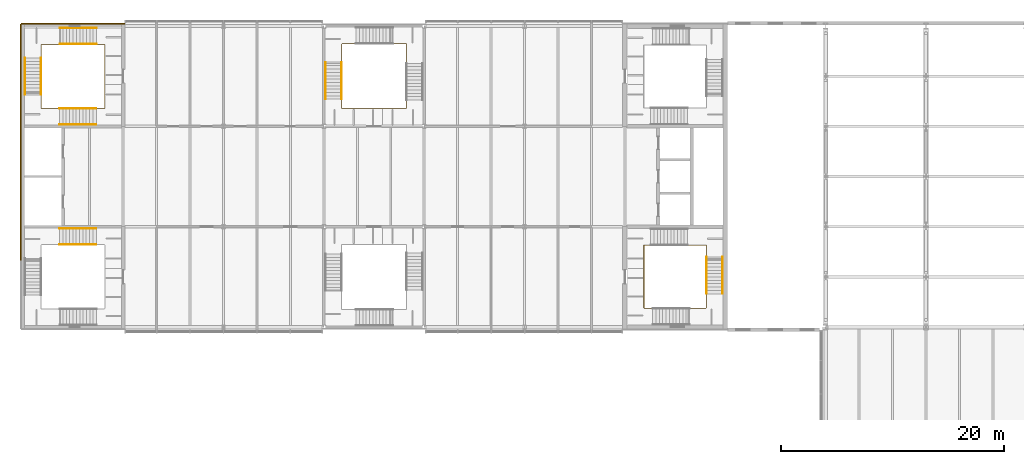
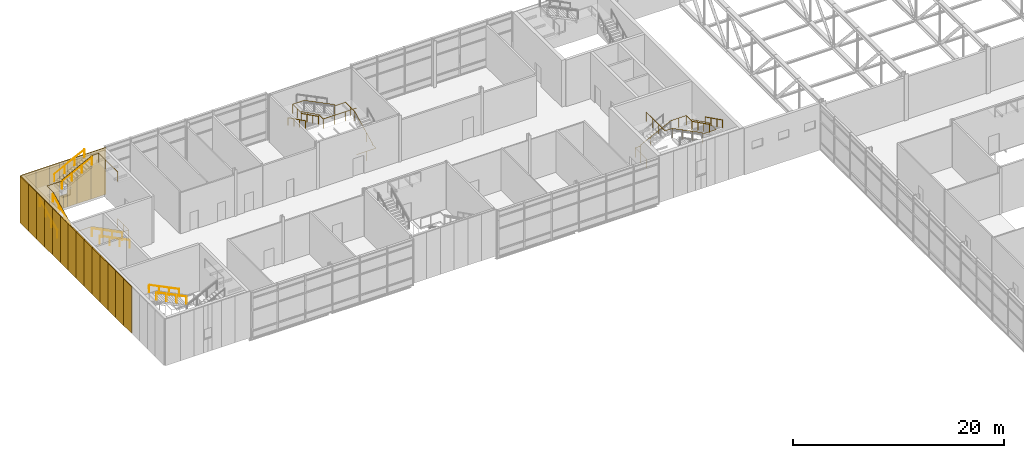
# One storey, part 49 of 53: 24 coverings, 15 railings.
"""IFC4 building model written with IfcOpenShell, lengths in metres."""

from ifc_helpers import new_model, si_unit, direction, frame, origin, origin_2d, place, context, subcontext, project, spatial, rectangle, circle, extrude, material, layer, layer_set, type_object, element, save


model = new_model("IFC4")

# Units and contexts
model_context = context("Model", 3, precision=1e-05, world=origin(), true_north=direction((0.0, 1.0)))
body_context = subcontext(model_context, "Body", "Model", "MODEL_VIEW")
ifc_project = project(units=[si_unit("LENGTHUNIT", "METRE"), si_unit("AREAUNIT", "SQUARE_METRE"), si_unit("VOLUMEUNIT", "CUBIC_METRE"), si_unit("PLANEANGLEUNIT", "RADIAN"), si_unit("MASSUNIT", "GRAM", prefix="KILO")], contexts=[model_context])

# Site, building, storey
site_placement = place(None, origin())
site = spatial("IfcSite", under=ifc_project, at=site_placement, CompositionType="ELEMENT")
building_placement = place(site_placement, origin())
building = spatial("IfcBuilding", under=site, at=building_placement, Name="Azimuth Sports and Learning Centre", CompositionType="ELEMENT")
storey_placement = place(building_placement, frame((0.0, 0.0, 10.800048828125)))
storey = spatial("IfcBuildingStorey", under=building, at=storey_placement, Name="L02", CompositionType="ELEMENT", Elevation=10.800048828125)

# Coverings
ifc_material_1 = material(Name="Cladding panel")
ifc_layer = layer(ifc_material_1, 0.10009765625)
ifc_layer_set = layer_set([ifc_layer], Name="Cladding panel")
covering_type = type_object("IfcCoveringType", Name="Cladding panel 100", PredefinedType="CLADDING", material=ifc_layer_set)
covering_1_placement = place(storey_placement, frame((8.324951171875, 117.199951171875, 0.0), z_axis=(0.0, 0.0, 1.0), x_axis=(-1.0, 0.0, 0.0)))
element("IfcCovering", 1, at=covering_1_placement, inside=storey, type_object=covering_type, Name="Cladding panel N-END W L02 1", PredefinedType="CLADDING", context=body_context, shape_type="SweptSolid", body=[
    extrude(rectangle(XDim=1.64990234375, YDim=0.10009765625, at=origin_2d()), origin(), (0.0, 0.0, 1.0), 5.39990234375),
])
covering_2_placement = place(storey_placement, frame((6.75, 117.199951171875, 0.0), z_axis=(0.0, 0.0, 1.0), x_axis=(-1.0, 0.0, 0.0)))
element("IfcCovering", 2, at=covering_2_placement, inside=storey, type_object=covering_type, Name="Cladding panel N-END W L02 2", PredefinedType="CLADDING", context=body_context, shape_type="SweptSolid", body=[
    extrude(rectangle(XDim=1.5, YDim=0.10009765625, at=origin_2d()), origin(), (0.0, 0.0, 1.0), 5.39990234375),
])
covering_3_placement = place(storey_placement, frame((5.47509765625, 117.199951171875, 0.0), z_axis=(0.0, 0.0, 1.0), x_axis=(-1.0, 0.0, 0.0)))
element("IfcCovering", 3, at=covering_3_placement, inside=storey, type_object=covering_type, Name="Cladding panel N-END W L02 3", PredefinedType="CLADDING", context=body_context, shape_type="SweptSolid", body=[
    extrude(rectangle(XDim=1.050048828125, YDim=0.10009765625, at=origin_2d()), origin(), (0.0, 0.0, 1.0), 5.39990234375),
])
covering_4_placement = place(storey_placement, frame((4.72509765625, 117.199951171875, 0.0), z_axis=(0.0, 0.0, 1.0), x_axis=(-1.0, 0.0, 0.0)))
element("IfcCovering", 4, at=covering_4_placement, inside=storey, type_object=covering_type, Name="Cladding panel N-END W L02 4", PredefinedType="CLADDING", context=body_context, shape_type="SweptSolid", body=[
    extrude(rectangle(XDim=0.449951171875, YDim=0.10009765625, at=origin_2d()), origin(), (0.0, 0.0, 1.0), 1.5),
])
covering_5_placement = place(storey_placement, frame((4.72509765625, 117.199951171875, 2.7001953125), z_axis=(0.0, 0.0, 1.0), x_axis=(-1.0, 0.0, 0.0)))
element("IfcCovering", 5, at=covering_5_placement, inside=storey, type_object=covering_type, Name="Cladding panel N-END W L02 5", PredefinedType="CLADDING", context=body_context, shape_type="SweptSolid", body=[
    extrude(rectangle(XDim=0.449951171875, YDim=0.10009765625, at=origin_2d()), origin(), (0.0, 0.0, 1.0), 2.699951171875),
])
covering_6_placement = place(storey_placement, frame((3.52490234375, 117.199951171875, 0.0), z_axis=(0.0, 0.0, 1.0), x_axis=(-1.0, 0.0, 0.0)))
element("IfcCovering", 6, at=covering_6_placement, inside=storey, type_object=covering_type, Name="Cladding panel N-END W L02 6", PredefinedType="CLADDING", context=body_context, shape_type="SweptSolid", body=[
    extrude(rectangle(XDim=1.050048828125, YDim=0.10009765625, at=origin_2d()), origin(), (0.0, 0.0, 1.0), 5.39990234375),
])
covering_7_placement = place(storey_placement, frame((4.27490234375, 117.199951171875, 0.0), z_axis=(0.0, 0.0, 1.0), x_axis=(-1.0, 0.0, 0.0)))
element("IfcCovering", 7, at=covering_7_placement, inside=storey, type_object=covering_type, Name="Cladding panel N-END W L02 7", PredefinedType="CLADDING", context=body_context, shape_type="SweptSolid", body=[
    extrude(rectangle(XDim=0.449951171875, YDim=0.10009765625, at=origin_2d()), origin(), (0.0, 0.0, 1.0), 1.5),
])
covering_8_placement = place(storey_placement, frame((4.27490234375, 117.199951171875, 2.7001953125), z_axis=(0.0, 0.0, 1.0), x_axis=(-1.0, 0.0, 0.0)))
element("IfcCovering", 8, at=covering_8_placement, inside=storey, type_object=covering_type, Name="Cladding panel N-END W L02 8", PredefinedType="CLADDING", context=body_context, shape_type="SweptSolid", body=[
    extrude(rectangle(XDim=0.449951171875, YDim=0.10009765625, at=origin_2d()), origin(), (0.0, 0.0, 1.0), 2.699951171875),
])
covering_9_placement = place(storey_placement, frame((2.25, 117.199951171875, 0.0), z_axis=(0.0, 0.0, 1.0), x_axis=(-1.0, 0.0, 0.0)))
element("IfcCovering", 9, at=covering_9_placement, inside=storey, type_object=covering_type, Name="Cladding panel N-END W L02 9", PredefinedType="CLADDING", context=body_context, shape_type="SweptSolid", body=[
    extrude(rectangle(XDim=1.5, YDim=0.10009765625, at=origin_2d()), origin(), (0.0, 0.0, 1.0), 5.39990234375),
])
for number, where, z_axis, x_axis, name in (
    (10, (0.675048828125, 117.199951171875, 0.0), (0.0, 0.0, 1.0), (-1.0, 0.0, 0.0), "Cladding panel N-END W L02 10"),
    (11, (-0.199951171875, 116.324951171875, 0.0), (0.0, 0.0, 1.0), (0.0, -1.0, 0.0), "Cladding panel W-END W L02 1"),
):
    element("IfcCovering", number, at=place(storey_placement, frame(where, z_axis=z_axis, x_axis=x_axis)), inside=storey, type_object=covering_type, Name=name, PredefinedType="CLADDING", context=body_context, shape_type="SweptSolid", body=[
        extrude(rectangle(XDim=1.64990234375, YDim=0.10009765625, at=origin_2d()), origin(), (0.0, 0.0, 1.0), 5.39990234375),
    ])
for number, where, z_axis, x_axis, name in (
    (12, (-0.199951171875, 114.75, 0.0), (0.0, 0.0, 1.0), (0.0, -1.0, 0.0), "Cladding panel W-END W L02 2"),
    (13, (-0.199951171875, 113.25, 0.0), (0.0, 0.0, 1.0), (0.0, -1.0, 0.0), "Cladding panel W-END W L02 3"),
    (14, (-0.199951171875, 111.75, 0.0), (0.0, 0.0, 1.0), (0.0, -1.0, 0.0), "Cladding panel W-END W L02 4"),
    (15, (-0.199951171875, 110.25, 0.0), (0.0, 0.0, 1.0), (0.0, -1.0, 0.0), "Cladding panel W-END W L02 5"),
    (16, (-0.199951171875, 108.75, 0.0), (0.0, 0.0, 1.0), (0.0, -1.0, 0.0), "Cladding panel W-END W L02 6"),
    (17, (-0.199951171875, 107.25, 0.0), (0.0, 0.0, 1.0), (0.0, -1.0, 0.0), "Cladding panel W-END W L02 7"),
    (18, (-0.199951171875, 105.75, 0.0), (0.0, 0.0, 1.0), (0.0, -1.0, 0.0), "Cladding panel W-END W L02 8"),
    (19, (-0.199951171875, 104.25, 0.0), (0.0, 0.0, 1.0), (0.0, -1.0, 0.0), "Cladding panel W-END W L02 9"),
    (20, (-0.199951171875, 102.75, 0.0), (0.0, 0.0, 1.0), (0.0, -1.0, 0.0), "Cladding panel W-END W L02 10"),
    (21, (-0.199951171875, 101.25, 0.0), (0.0, 0.0, 1.0), (0.0, -1.0, 0.0), "Cladding panel W-END W L02 11"),
    (22, (-0.199951171875, 99.75, 0.0), (0.0, 0.0, 1.0), (0.0, -1.0, 0.0), "Cladding panel W-END W L02 12"),
    (23, (-0.199951171875, 98.25, 0.0), (0.0, 0.0, 1.0), (0.0, -1.0, 0.0), "Cladding panel W-END W L02 13"),
    (24, (-0.199951171875, 96.75, 0.0), (0.0, 0.0, 1.0), (0.0, -1.0, 0.0), "Cladding panel W-END W L02 14"),
):
    element("IfcCovering", number, at=place(storey_placement, frame(where, z_axis=z_axis, x_axis=x_axis)), inside=storey, type_object=covering_type, Name=name, PredefinedType="CLADDING", context=body_context, shape_type="SweptSolid", body=[
        extrude(rectangle(XDim=1.5, YDim=0.10009765625, at=origin_2d()), origin(), (0.0, 0.0, 1.0), 5.39990234375),
    ])

# Railings
ifc_material_2 = material(Name="Stainless steel", Category="steel")
railing_type_1 = type_object("IfcRailingType", Name="Stair guard 1100", PredefinedType="GUARDRAIL", material=ifc_material_2)
railing_1_placement = place(storey_placement, frame((55.7099609375, 95.25, 0.0)))
element("IfcRailing", 25, at=railing_1_placement, inside=storey, type_object=railing_type_1, Name="Guard W1 L02 well", PredefinedType="GUARDRAIL", context=body_context, shape_type="SweptSolid", body=[
    extrude(circle(Radius=0.02392578125, at=origin_2d()), frame((0.0, 0.0, 1.076171875), z_axis=(0.0, 1.0, 0.0), x_axis=(-1.0, 0.0, 0.0)), (0.0, 0.0, 1.0), 2.090087890625),
    extrude(circle(Radius=0.02392578125, at=origin_2d()), frame((0.0, 2.090087890625, 1.076171875), z_axis=(1.0, 0.0, 0.0), x_axis=(0.0, 1.0, 0.0)), (0.0, 0.0, 1.0), 0.60009765625),
    extrude(circle(Radius=0.02392578125, at=origin_2d()), frame((0.60009765625, 2.090087890625, 1.076171875), z_axis=(0.0, 0.0, 1.0), x_axis=(1.0, 0.0, 0.0)), (0.0, 0.0, 1.0), 0.14990234375),
    extrude(circle(Radius=0.02392578125, at=origin_2d()), frame((0.60009765625, 2.090087890625, 1.22607421875), z_axis=(0.894413956696, 0.0, 0.447240063129), x_axis=(0.0, 1.0, 0.0)), (0.0, 0.0, 1.0), 3.689697265625),
    extrude(circle(Radius=0.02392578125, at=origin_2d()), frame((3.900146484375, 2.090087890625, 2.8759765625), z_axis=(1.0, 0.0, 0.0), x_axis=(0.0, 1.0, 0.0)), (0.0, 0.0, 1.0), 1.679931640625),
    extrude(circle(Radius=0.02392578125, at=origin_2d()), frame((5.580078125, 2.090087890625, 2.8759765625), z_axis=(0.0, -1.0, 0.0), x_axis=(1.0, 0.0, 0.0)), (0.0, 0.0, 1.0), 1.050048828125),
    extrude(circle(Radius=0.02392578125, at=origin_2d()), frame((5.580078125, 1.0400390625, 2.8759765625), z_axis=(0.0, 0.0, 1.0), x_axis=(1.0, 0.0, 0.0)), (0.0, 0.0, 1.0), 0.14990234375),
    extrude(circle(Radius=0.02392578125, at=origin_2d()), frame((5.580078125, 1.0400390625, 3.02587890625), z_axis=(0.0, -0.894440424912, 0.447187126696), x_axis=(1.0, 0.0, 0.0)), (0.0, 0.0, 1.0), 3.689453125),
    extrude(circle(Radius=0.02392578125, at=origin_2d()), frame((5.580078125, -2.260009765625, 4.67578125), z_axis=(0.0, -1.0, 0.0), x_axis=(1.0, 0.0, 0.0)), (0.0, 0.0, 1.0), 1.280029296875),
    extrude(circle(Radius=0.02392578125, at=origin_2d()), frame((5.580078125, -3.5400390625, 4.67578125), z_axis=(-1.0, 0.0, 0.0), x_axis=(0.0, -1.0, 0.0)), (0.0, 0.0, 1.0), 1.5),
    extrude(circle(Radius=0.02392578125, at=origin_2d()), frame((4.080078125, -3.5400390625, 4.67578125), z_axis=(0.0, 0.0, 1.0), x_axis=(1.0, 0.0, 0.0)), (0.0, 0.0, 1.0), 0.150146484375),
    extrude(circle(Radius=0.02392578125, at=origin_2d()), frame((4.080078125, -3.5400390625, 4.826171875), z_axis=(-0.894440424912, 0.0, 0.447187126696), x_axis=(0.0, -1.0, 0.0)), (0.0, 0.0, 1.0), 3.689453125),
    extrude(circle(Radius=0.02392578125, at=origin_2d()), frame((0.780029296875, -3.5400390625, 6.47607421875), z_axis=(-1.0, 0.0, 0.0), x_axis=(0.0, -1.0, 0.0)), (0.0, 0.0, 1.0), 0.780029296875),
    extrude(circle(Radius=0.02392578125, at=origin_2d()), frame((0.0, -3.5400390625, 6.47607421875), z_axis=(0.0, 1.0, 0.0), x_axis=(-1.0, 0.0, 0.0)), (0.0, 0.0, 1.0), 3.5400390625),
    extrude(circle(Radius=0.01611328125, at=origin_2d()), origin(), (0.0, 0.0, 1.0), 1.052001953125),
    extrude(circle(Radius=0.01611328125, at=origin_2d()), frame((0.0, 1.044921875, 0.0)), (0.0, 0.0, 1.0), 1.052001953125),
    extrude(circle(Radius=0.01611328125, at=origin_2d()), frame((0.0, 2.090087890625, 0.0)), (0.0, 0.0, 1.0), 1.052001953125),
    extrude(circle(Radius=0.01611328125, at=origin_2d()), frame((0.60009765625, 2.090087890625, 0.0)), (0.0, 0.0, 1.0), 1.052001953125),
    extrude(circle(Radius=0.01611328125, at=origin_2d()), frame((0.60009765625, 2.090087890625, 0.14990234375)), (0.0, 0.0, 1.0), 1.052001953125),
    extrude(circle(Radius=0.01611328125, at=origin_2d()), frame((1.7001953125, 2.090087890625, 0.699951171875)), (0.0, 0.0, 1.0), 1.052001953125),
    extrude(circle(Radius=0.01611328125, at=origin_2d()), frame((2.800048828125, 2.090087890625, 1.25)), (0.0, 0.0, 1.0), 1.052001953125),
    extrude(circle(Radius=0.01611328125, at=origin_2d()), frame((3.900146484375, 2.090087890625, 1.800048828125)), (0.0, 0.0, 1.0), 1.052001953125),
    extrude(circle(Radius=0.01611328125, at=origin_2d()), frame((4.740234375, 2.090087890625, 1.800048828125)), (0.0, 0.0, 1.0), 1.052001953125),
    extrude(circle(Radius=0.01611328125, at=origin_2d()), frame((5.580078125, 2.090087890625, 1.800048828125)), (0.0, 0.0, 1.0), 1.052001953125),
    extrude(circle(Radius=0.01611328125, at=origin_2d()), frame((5.580078125, 1.0400390625, 1.800048828125)), (0.0, 0.0, 1.0), 1.052001953125),
    extrude(circle(Radius=0.01611328125, at=origin_2d()), frame((5.580078125, 1.0400390625, 1.949951171875)), (0.0, 0.0, 1.0), 1.052001953125),
    extrude(circle(Radius=0.01611328125, at=origin_2d()), frame((5.580078125, -0.06005859375, 2.5)), (0.0, 0.0, 1.0), 1.052001953125),
    extrude(circle(Radius=0.01611328125, at=origin_2d()), frame((5.580078125, -1.159912109375, 3.0498046875)), (0.0, 0.0, 1.0), 1.052001953125),
    extrude(circle(Radius=0.01611328125, at=origin_2d()), frame((5.580078125, -2.260009765625, 3.599853515625)), (0.0, 0.0, 1.0), 1.052001953125),
    extrude(circle(Radius=0.01611328125, at=origin_2d()), frame((5.580078125, -3.5400390625, 3.599853515625)), (0.0, 0.0, 1.0), 1.052001953125),
    extrude(circle(Radius=0.01611328125, at=origin_2d()), frame((4.080078125, -3.5400390625, 3.599853515625)), (0.0, 0.0, 1.0), 1.052001953125),
    extrude(circle(Radius=0.01611328125, at=origin_2d()), frame((4.080078125, -3.5400390625, 3.75)), (0.0, 0.0, 1.0), 1.052001953125),
    extrude(circle(Radius=0.01611328125, at=origin_2d()), frame((2.97998046875, -3.5400390625, 4.300048828125)), (0.0, 0.0, 1.0), 1.052001953125),
    extrude(circle(Radius=0.01611328125, at=origin_2d()), frame((1.880126953125, -3.5400390625, 4.849853515625)), (0.0, 0.0, 1.0), 1.052001953125),
    extrude(circle(Radius=0.01611328125, at=origin_2d()), frame((0.780029296875, -3.5400390625, 5.39990234375)), (0.0, 0.0, 1.0), 1.052001953125),
    extrude(circle(Radius=0.01611328125, at=origin_2d()), frame((0.0, -3.5400390625, 5.39990234375)), (0.0, 0.0, 1.0), 1.052001953125),
    extrude(circle(Radius=0.01611328125, at=origin_2d()), frame((0.0, -2.360107421875, 5.39990234375)), (0.0, 0.0, 1.0), 1.052001953125),
    extrude(circle(Radius=0.01611328125, at=origin_2d()), frame((0.0, -1.179931640625, 5.39990234375)), (0.0, 0.0, 1.0), 1.052001953125),
    extrude(circle(Radius=0.01611328125, at=origin_2d()), frame((0.0, 0.0, 5.39990234375)), (0.0, 0.0, 1.0), 1.052001953125),
])
railing_2_placement = place(storey_placement, frame((7.340087890625, 111.75, 0.0)))
element("IfcRailing", 26, at=railing_2_placement, inside=storey, type_object=railing_type_1, Name="Guard WW2 L02 well", PredefinedType="GUARDRAIL", context=body_context, shape_type="SweptSolid", body=[
    extrude(circle(Radius=0.02392578125, at=origin_2d()), frame((0.0, 0.0, 1.076171875), z_axis=(0.0, -1.0, 0.0), x_axis=(1.0, 0.0, 0.0)), (0.0, 0.0, 1.0), 2.114990234375),
    extrude(circle(Radius=0.02392578125, at=origin_2d()), frame((0.0, -2.114990234375, 1.076171875), z_axis=(-1.0, 0.0, 0.0), x_axis=(0.0, -1.0, 0.0)), (0.0, 0.0, 1.0), 0.75),
    extrude(circle(Radius=0.02392578125, at=origin_2d()), frame((-0.75, -2.114990234375, 1.076171875), z_axis=(0.0, 0.0, 1.0), x_axis=(1.0, 0.0, 0.0)), (0.0, 0.0, 1.0), 0.14990234375),
    extrude(circle(Radius=0.02392578125, at=origin_2d()), frame((-0.75, -2.114990234375, 1.22607421875), z_axis=(-0.894413956696, 0.0, 0.447240063129), x_axis=(0.0, -1.0, 0.0)), (0.0, 0.0, 1.0), 3.689697265625),
    extrude(circle(Radius=0.02392578125, at=origin_2d()), frame((-4.050048828125, -2.114990234375, 2.8759765625), z_axis=(-1.0, 0.0, 0.0), x_axis=(0.0, -1.0, 0.0)), (0.0, 0.0, 1.0), 1.630126953125),
    extrude(circle(Radius=0.02392578125, at=origin_2d()), frame((-5.68017578125, -2.114990234375, 2.8759765625), z_axis=(0.0, 1.0, 0.0), x_axis=(-1.0, 0.0, 0.0)), (0.0, 0.0, 1.0), 1.199951171875),
    extrude(circle(Radius=0.02392578125, at=origin_2d()), frame((-5.68017578125, -0.9150390625, 2.8759765625), z_axis=(0.0, 0.0, 1.0), x_axis=(1.0, 0.0, 0.0)), (0.0, 0.0, 1.0), 0.14990234375),
    extrude(circle(Radius=0.02392578125, at=origin_2d()), frame((-5.68017578125, -0.9150390625, 3.02587890625), z_axis=(0.0, 0.894440424912, 0.447187126696), x_axis=(-1.0, 0.0, 0.0)), (0.0, 0.0, 1.0), 3.689453125),
    extrude(circle(Radius=0.02392578125, at=origin_2d()), frame((-5.68017578125, 2.385009765625, 4.67578125), z_axis=(0.0, 1.0, 0.0), x_axis=(-1.0, 0.0, 0.0)), (0.0, 0.0, 1.0), 1.205078125),
    extrude(circle(Radius=0.02392578125, at=origin_2d()), frame((-5.68017578125, 3.590087890625, 4.67578125), z_axis=(1.0, 0.0, 0.0), x_axis=(0.0, 1.0, 0.0)), (0.0, 0.0, 1.0), 1.650146484375),
    extrude(circle(Radius=0.02392578125, at=origin_2d()), frame((-4.030029296875, 3.590087890625, 4.67578125), z_axis=(0.0, 0.0, 1.0), x_axis=(1.0, 0.0, 0.0)), (0.0, 0.0, 1.0), 0.150146484375),
    extrude(circle(Radius=0.02392578125, at=origin_2d()), frame((-4.030029296875, 3.590087890625, 4.826171875), z_axis=(0.894440424912, 0.0, 0.447187126696), x_axis=(0.0, 1.0, 0.0)), (0.0, 0.0, 1.0), 3.689453125),
    extrude(circle(Radius=0.02392578125, at=origin_2d()), frame((-0.72998046875, 3.590087890625, 6.47607421875), z_axis=(1.0, 0.0, 0.0), x_axis=(0.0, 1.0, 0.0)), (0.0, 0.0, 1.0), 0.72998046875),
    extrude(circle(Radius=0.02392578125, at=origin_2d()), frame((0.0, 3.590087890625, 6.47607421875), z_axis=(0.0, -1.0, 0.0), x_axis=(1.0, 0.0, 0.0)), (0.0, 0.0, 1.0), 3.590087890625),
    extrude(circle(Radius=0.01611328125, at=origin_2d()), origin(), (0.0, 0.0, 1.0), 1.052001953125),
    extrude(circle(Radius=0.01611328125, at=origin_2d()), frame((0.0, -1.0576171875, 0.0)), (0.0, 0.0, 1.0), 1.052001953125),
    extrude(circle(Radius=0.01611328125, at=origin_2d()), frame((0.0, -2.114990234375, 0.0)), (0.0, 0.0, 1.0), 1.052001953125),
    extrude(circle(Radius=0.01611328125, at=origin_2d()), frame((-0.75, -2.114990234375, 0.0)), (0.0, 0.0, 1.0), 1.052001953125),
    extrude(circle(Radius=0.01611328125, at=origin_2d()), frame((-0.75, -2.114990234375, 0.14990234375)), (0.0, 0.0, 1.0), 1.052001953125),
    extrude(circle(Radius=0.01611328125, at=origin_2d()), frame((-1.85009765625, -2.114990234375, 0.699951171875)), (0.0, 0.0, 1.0), 1.052001953125),
    extrude(circle(Radius=0.01611328125, at=origin_2d()), frame((-2.949951171875, -2.114990234375, 1.25)), (0.0, 0.0, 1.0), 1.052001953125),
    extrude(circle(Radius=0.01611328125, at=origin_2d()), frame((-4.050048828125, -2.114990234375, 1.800048828125)), (0.0, 0.0, 1.0), 1.052001953125),
    extrude(circle(Radius=0.01611328125, at=origin_2d()), frame((-4.865234375, -2.114990234375, 1.800048828125)), (0.0, 0.0, 1.0), 1.052001953125),
    extrude(circle(Radius=0.01611328125, at=origin_2d()), frame((-5.68017578125, -2.114990234375, 1.800048828125)), (0.0, 0.0, 1.0), 1.052001953125),
    extrude(circle(Radius=0.01611328125, at=origin_2d()), frame((-5.68017578125, -0.9150390625, 1.800048828125)), (0.0, 0.0, 1.0), 1.052001953125),
    extrude(circle(Radius=0.01611328125, at=origin_2d()), frame((-5.68017578125, -0.9150390625, 1.949951171875)), (0.0, 0.0, 1.0), 1.052001953125),
    extrude(circle(Radius=0.01611328125, at=origin_2d()), frame((-5.68017578125, 0.18505859375, 2.5)), (0.0, 0.0, 1.0), 1.052001953125),
    extrude(circle(Radius=0.01611328125, at=origin_2d()), frame((-5.68017578125, 1.284912109375, 3.0498046875)), (0.0, 0.0, 1.0), 1.052001953125),
    extrude(circle(Radius=0.01611328125, at=origin_2d()), frame((-5.68017578125, 2.385009765625, 3.599853515625)), (0.0, 0.0, 1.0), 1.052001953125),
    extrude(circle(Radius=0.01611328125, at=origin_2d()), frame((-5.68017578125, 3.590087890625, 3.599853515625)), (0.0, 0.0, 1.0), 1.052001953125),
    extrude(circle(Radius=0.01611328125, at=origin_2d()), frame((-4.85498046875, 3.590087890625, 3.599853515625)), (0.0, 0.0, 1.0), 1.052001953125),
    extrude(circle(Radius=0.01611328125, at=origin_2d()), frame((-4.030029296875, 3.590087890625, 3.599853515625)), (0.0, 0.0, 1.0), 1.052001953125),
    extrude(circle(Radius=0.01611328125, at=origin_2d()), frame((-4.030029296875, 3.590087890625, 3.75)), (0.0, 0.0, 1.0), 1.052001953125),
    extrude(circle(Radius=0.01611328125, at=origin_2d()), frame((-2.929931640625, 3.590087890625, 4.300048828125)), (0.0, 0.0, 1.0), 1.052001953125),
    extrude(circle(Radius=0.01611328125, at=origin_2d()), frame((-1.830078125, 3.590087890625, 4.849853515625)), (0.0, 0.0, 1.0), 1.052001953125),
    extrude(circle(Radius=0.01611328125, at=origin_2d()), frame((-0.72998046875, 3.590087890625, 5.39990234375)), (0.0, 0.0, 1.0), 1.052001953125),
    extrude(circle(Radius=0.01611328125, at=origin_2d()), frame((0.0, 3.590087890625, 5.39990234375)), (0.0, 0.0, 1.0), 1.052001953125),
    extrude(circle(Radius=0.01611328125, at=origin_2d()), frame((0.0, 2.393310546875, 5.39990234375)), (0.0, 0.0, 1.0), 1.052001953125),
    extrude(circle(Radius=0.01611328125, at=origin_2d()), frame((0.0, 1.19677734375, 5.39990234375)), (0.0, 0.0, 1.0), 1.052001953125),
    extrude(circle(Radius=0.01611328125, at=origin_2d()), frame((0.0, 0.0, 5.39990234375)), (0.0, 0.0, 1.0), 1.052001953125),
])
railing_3_placement = place(storey_placement, frame((32.25, 109.610107421875, 0.0)))
element("IfcRailing", 27, at=railing_3_placement, inside=storey, type_object=railing_type_1, Name="Guard WM2 L02 well", PredefinedType="GUARDRAIL", context=body_context, shape_type="SweptSolid", body=[
    extrude(circle(Radius=0.02392578125, at=origin_2d()), frame((0.0, 0.0, 1.076171875), z_axis=(1.0, 0.0, 0.0), x_axis=(0.0, 1.0, 0.0)), (0.0, 0.0, 1.0), 2.139892578125),
    extrude(circle(Radius=0.02392578125, at=origin_2d()), frame((2.139892578125, 0.0, 1.076171875), z_axis=(0.0, 1.0, 0.0), x_axis=(-1.0, 0.0, 0.0)), (0.0, 0.0, 1.0), 0.75),
    extrude(circle(Radius=0.02392578125, at=origin_2d()), frame((2.139892578125, 0.75, 1.076171875), z_axis=(0.0, 0.0, 1.0), x_axis=(1.0, 0.0, 0.0)), (0.0, 0.0, 1.0), 0.14990234375),
    extrude(circle(Radius=0.02392578125, at=origin_2d()), frame((2.139892578125, 0.75, 1.22607421875), z_axis=(0.0, 0.894400720042, 0.447266533499), x_axis=(-1.0, 0.0, 0.0)), (0.0, 0.0, 1.0), 3.689453125),
    extrude(circle(Radius=0.02392578125, at=origin_2d()), frame((2.139892578125, 4.0498046875, 2.8759765625), z_axis=(0.0, 1.0, 0.0), x_axis=(-1.0, 0.0, 0.0)), (0.0, 0.0, 1.0), 1.72998046875),
    extrude(circle(Radius=0.02392578125, at=origin_2d()), frame((2.139892578125, 5.77978515625, 2.8759765625), z_axis=(-1.0, 0.0, 0.0), x_axis=(0.0, -1.0, 0.0)), (0.0, 0.0, 1.0), 1.199951171875),
    extrude(circle(Radius=0.02392578125, at=origin_2d()), frame((0.93994140625, 5.77978515625, 2.8759765625), z_axis=(0.0, 0.0, 1.0), x_axis=(1.0, 0.0, 0.0)), (0.0, 0.0, 1.0), 0.14990234375),
    extrude(circle(Radius=0.02392578125, at=origin_2d()), frame((0.93994140625, 5.77978515625, 3.02587890625), z_axis=(-0.894440424912, 0.0, 0.447187126696), x_axis=(0.0, -1.0, 0.0)), (0.0, 0.0, 1.0), 3.689453125),
    extrude(circle(Radius=0.02392578125, at=origin_2d()), frame((-2.360107421875, 5.77978515625, 4.67578125), z_axis=(-1.0, 0.0, 0.0), x_axis=(0.0, -1.0, 0.0)), (0.0, 0.0, 1.0), 1.27978515625),
    extrude(circle(Radius=0.02392578125, at=origin_2d()), frame((-3.639892578125, 5.77978515625, 4.67578125), z_axis=(0.0, -1.0, 0.0), x_axis=(1.0, 0.0, 0.0)), (0.0, 0.0, 1.0), 1.64990234375),
    extrude(circle(Radius=0.02392578125, at=origin_2d()), frame((-3.639892578125, 4.1298828125, 4.67578125), z_axis=(0.0, 0.0, 1.0), x_axis=(1.0, 0.0, 0.0)), (0.0, 0.0, 1.0), 0.150146484375),
    extrude(circle(Radius=0.02392578125, at=origin_2d()), frame((-3.639892578125, 4.1298828125, 4.826171875), z_axis=(0.0, -0.894440424912, 0.447187126696), x_axis=(1.0, 0.0, 0.0)), (0.0, 0.0, 1.0), 3.689453125),
    extrude(circle(Radius=0.02392578125, at=origin_2d()), frame((-3.639892578125, 0.829833984375, 6.47607421875), z_axis=(0.0, -1.0, 0.0), x_axis=(1.0, 0.0, 0.0)), (0.0, 0.0, 1.0), 0.829833984375),
    extrude(circle(Radius=0.02392578125, at=origin_2d()), frame((-3.639892578125, 0.0, 6.47607421875), z_axis=(1.0, 0.0, 0.0), x_axis=(0.0, 1.0, 0.0)), (0.0, 0.0, 1.0), 3.639892578125),
    extrude(circle(Radius=0.01611328125, at=origin_2d()), origin(), (0.0, 0.0, 1.0), 1.052001953125),
    extrude(circle(Radius=0.01611328125, at=origin_2d()), frame((1.06982421875, 0.0, 0.0)), (0.0, 0.0, 1.0), 1.052001953125),
    extrude(circle(Radius=0.01611328125, at=origin_2d()), frame((2.139892578125, 0.0, 0.0)), (0.0, 0.0, 1.0), 1.052001953125),
    extrude(circle(Radius=0.01611328125, at=origin_2d()), frame((2.139892578125, 0.75, 0.0)), (0.0, 0.0, 1.0), 1.052001953125),
    extrude(circle(Radius=0.01611328125, at=origin_2d()), frame((2.139892578125, 0.75, 0.14990234375)), (0.0, 0.0, 1.0), 1.052001953125),
    extrude(circle(Radius=0.01611328125, at=origin_2d()), frame((2.139892578125, 1.849853515625, 0.699951171875)), (0.0, 0.0, 1.0), 1.052001953125),
    extrude(circle(Radius=0.01611328125, at=origin_2d()), frame((2.139892578125, 2.949951171875, 1.25)), (0.0, 0.0, 1.0), 1.052001953125),
    extrude(circle(Radius=0.01611328125, at=origin_2d()), frame((2.139892578125, 4.0498046875, 1.800048828125)), (0.0, 0.0, 1.0), 1.052001953125),
    extrude(circle(Radius=0.01611328125, at=origin_2d()), frame((2.139892578125, 4.914794921875, 1.800048828125)), (0.0, 0.0, 1.0), 1.052001953125),
    extrude(circle(Radius=0.01611328125, at=origin_2d()), frame((2.139892578125, 5.77978515625, 1.800048828125)), (0.0, 0.0, 1.0), 1.052001953125),
    extrude(circle(Radius=0.01611328125, at=origin_2d()), frame((0.93994140625, 5.77978515625, 1.800048828125)), (0.0, 0.0, 1.0), 1.052001953125),
    extrude(circle(Radius=0.01611328125, at=origin_2d()), frame((0.93994140625, 5.77978515625, 1.949951171875)), (0.0, 0.0, 1.0), 1.052001953125),
    extrude(circle(Radius=0.01611328125, at=origin_2d()), frame((-0.16015625, 5.77978515625, 2.5)), (0.0, 0.0, 1.0), 1.052001953125),
    extrude(circle(Radius=0.01611328125, at=origin_2d()), frame((-1.260009765625, 5.77978515625, 3.0498046875)), (0.0, 0.0, 1.0), 1.052001953125),
    extrude(circle(Radius=0.01611328125, at=origin_2d()), frame((-2.360107421875, 5.77978515625, 3.599853515625)), (0.0, 0.0, 1.0), 1.052001953125),
    extrude(circle(Radius=0.01611328125, at=origin_2d()), frame((-3.639892578125, 5.77978515625, 3.599853515625)), (0.0, 0.0, 1.0), 1.052001953125),
    extrude(circle(Radius=0.01611328125, at=origin_2d()), frame((-3.639892578125, 4.954833984375, 3.599853515625)), (0.0, 0.0, 1.0), 1.052001953125),
    extrude(circle(Radius=0.01611328125, at=origin_2d()), frame((-3.639892578125, 4.1298828125, 3.599853515625)), (0.0, 0.0, 1.0), 1.052001953125),
    extrude(circle(Radius=0.01611328125, at=origin_2d()), frame((-3.639892578125, 4.1298828125, 3.75)), (0.0, 0.0, 1.0), 1.052001953125),
    extrude(circle(Radius=0.01611328125, at=origin_2d()), frame((-3.639892578125, 3.02978515625, 4.300048828125)), (0.0, 0.0, 1.0), 1.052001953125),
    extrude(circle(Radius=0.01611328125, at=origin_2d()), frame((-3.639892578125, 1.929931640625, 4.849853515625)), (0.0, 0.0, 1.0), 1.052001953125),
    extrude(circle(Radius=0.01611328125, at=origin_2d()), frame((-3.639892578125, 0.829833984375, 5.39990234375)), (0.0, 0.0, 1.0), 1.052001953125),
    extrude(circle(Radius=0.01611328125, at=origin_2d()), frame((-3.639892578125, 0.0, 5.39990234375)), (0.0, 0.0, 1.0), 1.052001953125),
    extrude(circle(Radius=0.01611328125, at=origin_2d()), frame((-2.426513671875, 0.0, 5.39990234375)), (0.0, 0.0, 1.0), 1.052001953125),
    extrude(circle(Radius=0.01611328125, at=origin_2d()), frame((-1.21337890625, 0.0, 5.39990234375)), (0.0, 0.0, 1.0), 1.052001953125),
    extrude(circle(Radius=0.01611328125, at=origin_2d()), frame((0.0, 0.0, 5.39990234375)), (0.0, 0.0, 1.0), 1.052001953125),
])
ifc_material_3 = material(Name="Stainless steel", Category="steel")
railing_type_2 = type_object("IfcRailingType", Name="Stair handrail 42", PredefinedType="HANDRAIL", material=ifc_material_3)
for number, where, name in (
    (28, (61.320068359375, 96.2900390625, 1.949951171875), "Handrail W1 L02 flight 2 inner"),
    (29, (62.760009765625, 96.2900390625, 1.949951171875), "Handrail W1 L02 flight 2 outer"),
):
    element("IfcRailing", number, at=place(storey_placement, frame(where)), inside=storey, type_object=railing_type_2, Name=name, PredefinedType="HANDRAIL", context=body_context, shape_type="SweptSolid", body=[
        extrude(circle(Radius=0.02099609375, at=origin_2d()), frame((0.0, 0.0, 0.87890625), z_axis=(0.0, -0.894440424912, 0.447187126696), x_axis=(1.0, 0.0, 0.0)), (0.0, 0.0, 1.0), 3.689453125),
        extrude(circle(Radius=0.01611328125, at=origin_2d()), origin(), (0.0, 0.0, 1.0), 0.85791015625),
        extrude(circle(Radius=0.01611328125, at=origin_2d()), frame((0.0, -1.10009765625, 0.550048828125)), (0.0, 0.0, 1.0), 0.85791015625),
        extrude(circle(Radius=0.01611328125, at=origin_2d()), frame((0.0, -2.199951171875, 1.099853515625)), (0.0, 0.0, 1.0), 0.85791015625),
        extrude(circle(Radius=0.01611328125, at=origin_2d()), frame((0.0, -3.300048828125, 1.64990234375)), (0.0, 0.0, 1.0), 0.85791015625),
    ])
for number, where, name in (
    (30, (6.590087890625, 97.39501953125, 0.14990234375), "Handrail WW1 L02 flight 1 inner"),
    (31, (6.590087890625, 98.8349609375, 0.14990234375), "Handrail WW1 L02 flight 1 outer"),
    (32, (6.590087890625, 109.60498046875, 0.14990234375), "Handrail WW2 L02 flight 1 inner"),
    (33, (6.590087890625, 108.1650390625, 0.14990234375), "Handrail WW2 L02 flight 1 outer"),
):
    element("IfcRailing", number, at=place(storey_placement, frame(where)), inside=storey, type_object=railing_type_2, Name=name, PredefinedType="HANDRAIL", context=body_context, shape_type="SweptSolid", body=[
        extrude(circle(Radius=0.02099609375, at=origin_2d()), frame((0.0, 0.0, 0.87890625), z_axis=(-0.894413956696, 0.0, 0.447240063129), x_axis=(0.0, -1.0, 0.0)), (0.0, 0.0, 1.0), 3.689697265625),
        extrude(circle(Radius=0.01611328125, at=origin_2d()), origin(), (0.0, 0.0, 1.0), 0.85791015625),
        extrude(circle(Radius=0.01611328125, at=origin_2d()), frame((-1.10009765625, 0.0, 0.550048828125)), (0.0, 0.0, 1.0), 0.85791015625),
        extrude(circle(Radius=0.01611328125, at=origin_2d()), frame((-2.199951171875, 0.0, 1.10009765625)), (0.0, 0.0, 1.0), 0.85791015625),
        extrude(circle(Radius=0.01611328125, at=origin_2d()), frame((-3.300048828125, 0.0, 1.650146484375)), (0.0, 0.0, 1.0), 0.85791015625),
    ])
for number, where, name in (
    (34, (1.6298828125, 110.8349609375, 1.949951171875), "Handrail WW2 L02 flight 2 inner"),
    (35, (0.18994140625, 110.8349609375, 1.949951171875), "Handrail WW2 L02 flight 2 outer"),
):
    element("IfcRailing", number, at=place(storey_placement, frame(where)), inside=storey, type_object=railing_type_2, Name=name, PredefinedType="HANDRAIL", context=body_context, shape_type="SweptSolid", body=[
        extrude(circle(Radius=0.02099609375, at=origin_2d()), frame((0.0, 0.0, 0.87890625), z_axis=(0.0, 0.894440424912, 0.447187126696), x_axis=(-1.0, 0.0, 0.0)), (0.0, 0.0, 1.0), 3.689453125),
        extrude(circle(Radius=0.01611328125, at=origin_2d()), origin(), (0.0, 0.0, 1.0), 0.85791015625),
        extrude(circle(Radius=0.01611328125, at=origin_2d()), frame((0.0, 1.10009765625, 0.550048828125)), (0.0, 0.0, 1.0), 0.85791015625),
        extrude(circle(Radius=0.01611328125, at=origin_2d()), frame((0.0, 2.199951171875, 1.099853515625)), (0.0, 0.0, 1.0), 0.85791015625),
        extrude(circle(Radius=0.01611328125, at=origin_2d()), frame((0.0, 3.300048828125, 1.64990234375)), (0.0, 0.0, 1.0), 0.85791015625),
    ])
for number, where, name in (
    (36, (3.31005859375, 115.3701171875, 3.75), "Handrail WW2 L02 flight 3 inner"),
    (37, (3.31005859375, 116.81005859375, 3.75), "Handrail WW2 L02 flight 3 outer"),
):
    element("IfcRailing", number, at=place(storey_placement, frame(where)), inside=storey, type_object=railing_type_2, Name=name, PredefinedType="HANDRAIL", context=body_context, shape_type="SweptSolid", body=[
        extrude(circle(Radius=0.02099609375, at=origin_2d()), frame((0.0, 0.0, 0.87890625), z_axis=(0.894440424912, 0.0, 0.447187126696), x_axis=(0.0, 1.0, 0.0)), (0.0, 0.0, 1.0), 3.689453125),
        extrude(circle(Radius=0.01611328125, at=origin_2d()), origin(), (0.0, 0.0, 1.0), 0.85791015625),
        extrude(circle(Radius=0.01611328125, at=origin_2d()), frame((1.10009765625, 0.0, 0.550048828125)), (0.0, 0.0, 1.0), 0.85791015625),
        extrude(circle(Radius=0.01611328125, at=origin_2d()), frame((2.199951171875, 0.0, 1.099853515625)), (0.0, 0.0, 1.0), 0.85791015625),
        extrude(circle(Radius=0.01611328125, at=origin_2d()), frame((3.300048828125, 0.0, 1.64990234375)), (0.0, 0.0, 1.0), 0.85791015625),
    ])
for number, where, name in (
    (38, (28.580078125, 113.739990234375, 3.75), "Handrail WM2 L02 flight 3 inner"),
    (39, (27.139892578125, 113.739990234375, 3.75), "Handrail WM2 L02 flight 3 outer"),
):
    element("IfcRailing", number, at=place(storey_placement, frame(where)), inside=storey, type_object=railing_type_2, Name=name, PredefinedType="HANDRAIL", context=body_context, shape_type="SweptSolid", body=[
        extrude(circle(Radius=0.02099609375, at=origin_2d()), frame((0.0, 0.0, 0.87890625), z_axis=(0.0, -0.894440424912, 0.447187126696), x_axis=(1.0, 0.0, 0.0)), (0.0, 0.0, 1.0), 3.689453125),
        extrude(circle(Radius=0.01611328125, at=origin_2d()), origin(), (0.0, 0.0, 1.0), 0.85791015625),
        extrude(circle(Radius=0.01611328125, at=origin_2d()), frame((0.0, -1.10009765625, 0.550048828125)), (0.0, 0.0, 1.0), 0.85791015625),
        extrude(circle(Radius=0.01611328125, at=origin_2d()), frame((0.0, -2.199951171875, 1.099853515625)), (0.0, 0.0, 1.0), 0.85791015625),
        extrude(circle(Radius=0.01611328125, at=origin_2d()), frame((0.0, -3.300048828125, 1.64990234375)), (0.0, 0.0, 1.0), 0.85791015625),
    ])

save(model, "model.ifc")
